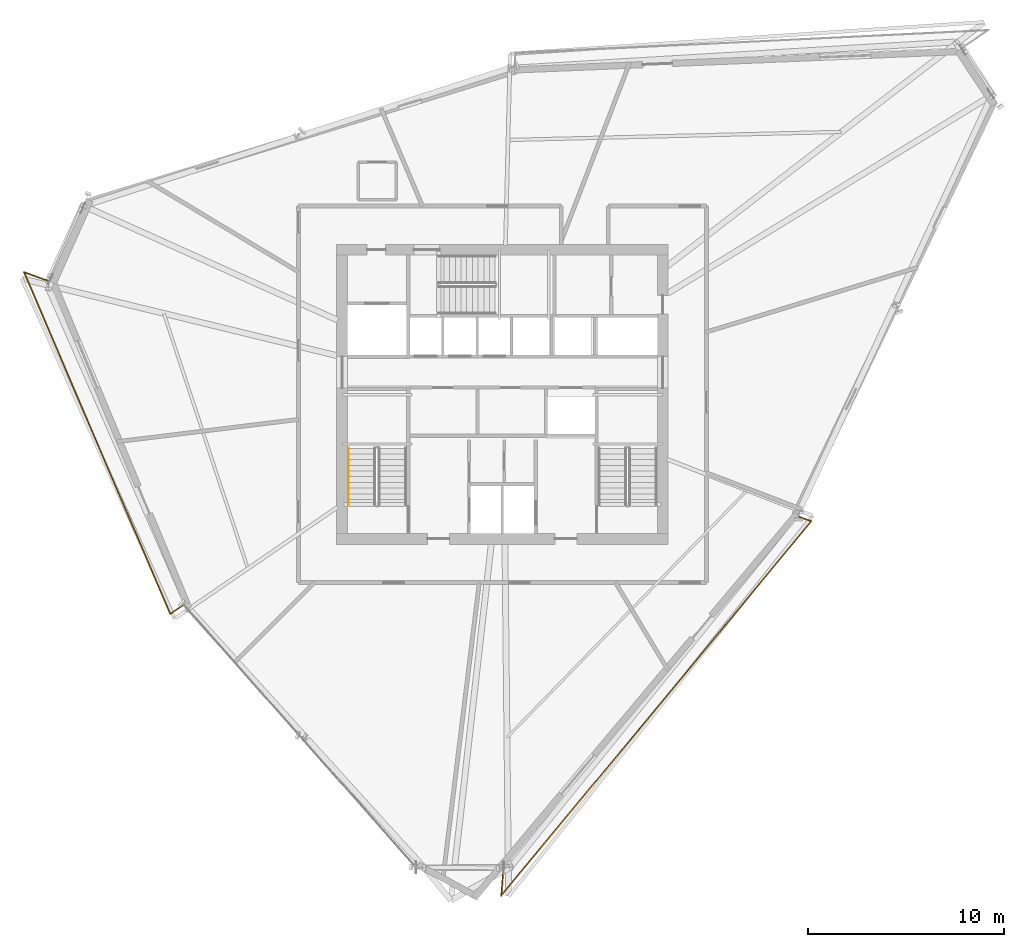
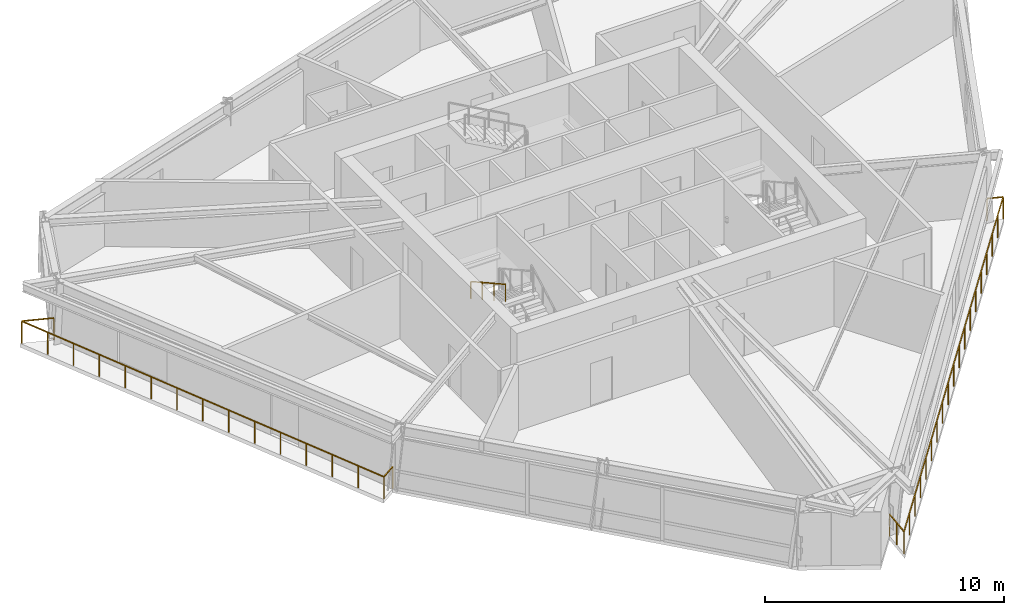
# One storey, part 11 of 13: 3 railings.
"""IFC4 building model written with IfcOpenShell, lengths in metres."""

import ifcopenshell
import ifcopenshell.guid

model = None  # the IFC model being written
_history = None  # IfcOwnerHistory: only IFC2X3 demands one
_inside = {}  # id of a spatial element -> (the spatial element, [elements in it])
_under = {}  # id of a project, library or spatial element -> (it, [spatial elements below it])
_declared = {}  # id of a project -> (the project, [libraries it declares])
_typed = {}  # id of a type object -> (the type object, [elements of that type])
_made_of = {}  # id of a material, layer set ... -> (it, [elements and type objects made of it])


def new_model(schema):
    """Start an empty IFC model of exactly this schema.

    Asked for "IFC4X3", IfcOpenShell would pick the latest addendum, in which some entities
    have other attributes; the version numbers below select the first issue.
    IFC2X3 requires an IfcOwnerHistory on every rooted entity: one is made here for all.
    """
    global model, _history
    if schema == "IFC4X3":
        model = ifcopenshell.file(schema_version=(4, 3, 0, 0))
    else:
        model = ifcopenshell.file(schema=schema)
    _inside.clear()
    _under.clear()
    _declared.clear()
    _typed.clear()
    _made_of.clear()
    _history = None
    if model.schema == "IFC2X3":
        org = make("IfcOrganization", Name="unknown")
        user = make(
            "IfcPersonAndOrganization",
            ThePerson=make("IfcPerson", FamilyName="unknown"),
            TheOrganization=org,
        )
        app = make(
            "IfcApplication",
            ApplicationDeveloper=org,
            Version="unknown",
            ApplicationFullName="unknown",
            ApplicationIdentifier="unknown",
        )
        _history = make(
            "IfcOwnerHistory",
            OwningUser=user,
            OwningApplication=app,
            ChangeAction="ADDED",
            CreationDate=0,
        )
    return model


def make(cls, **values):
    """One entity of the class cls with the attributes given. An attribute that is None is left unset."""
    return model.create_entity(
        cls, **{name: value for name, value in values.items() if value is not None}
    )


def rooted(cls, **values):
    """An entity with a GlobalId (a new one), such as an element, a storey or a relation."""
    return make(cls, GlobalId=ifcopenshell.guid.new(), OwnerHistory=_history, **values)


def si_unit(unit_type, name, prefix=None):
    """IfcSIUnit, for example si_unit("LENGTHUNIT", "METRE", prefix="MILLI")."""
    return make("IfcSIUnit", UnitType=unit_type, Prefix=prefix, Name=name)


def assignment(units):
    """IfcUnitAssignment: the units of a project."""
    return None if units is None else make("IfcUnitAssignment", Units=units)


def point(xyz):
    """IfcCartesianPoint."""
    return None if xyz is None else make("IfcCartesianPoint", Coordinates=xyz)


def direction(xyz):
    """IfcDirection."""
    return None if xyz is None else make("IfcDirection", DirectionRatios=xyz)


def frame(location, z_axis=None, x_axis=None):
    """IfcAxis2Placement3D, a coordinate frame: its origin and axes. An axis left out is left unset."""
    return make(
        "IfcAxis2Placement3D",
        Location=point(location),
        Axis=direction(z_axis),
        RefDirection=direction(x_axis),
    )


def frame_2d(location, x_axis=None):
    """IfcAxis2Placement2D, a coordinate frame in the plane: its origin and x axis."""
    return make(
        "IfcAxis2Placement2D", Location=point(location), RefDirection=direction(x_axis)
    )


def origin():
    """The frame at (0, 0, 0) with its axes left unset."""
    return frame((0.0, 0.0, 0.0))


def origin_2d():
    """The frame at (0, 0) in the plane with its x axis left unset."""
    return frame_2d((0.0, 0.0))


def place(relative_to, where):
    """IfcLocalPlacement: puts the frame where relative to a parent placement (None: the world)."""
    return make(
        "IfcLocalPlacement", PlacementRelTo=relative_to, RelativePlacement=where
    )


def context(
    kind, dimensions, precision=None, world=None, true_north=None, identifier=None
):
    """IfcGeometricRepresentationContext, for example the 3D "Model" context."""
    return make(
        "IfcGeometricRepresentationContext",
        ContextIdentifier=identifier,
        ContextType=kind,
        CoordinateSpaceDimension=dimensions,
        Precision=precision,
        WorldCoordinateSystem=world,
        TrueNorth=true_north,
    )


def subcontext(parent, identifier, kind, view, scale=None):
    """IfcGeometricRepresentationSubContext, for example "Body" below "Model"."""
    return make(
        "IfcGeometricRepresentationSubContext",
        ContextIdentifier=identifier,
        ContextType=kind,
        ParentContext=parent,
        TargetScale=scale,
        TargetView=view,
    )


def project(units=None, contexts=None):
    """IfcProject with its units and contexts."""
    return rooted(
        "IfcProject",
        Name="project",
        RepresentationContexts=contexts,
        UnitsInContext=assignment(units),
    )


def spatial(cls, under=None, at=None, **own):
    """A site, building, storey or space (cls), placed at a placement, below another one or the project."""
    s = rooted(cls, ObjectPlacement=at, **own)
    if under is not None:
        _under.setdefault(under.id(), (under, []))[1].append(s)
    return s


def profile(cls, at=None, kind="AREA", **sizes):
    """A parametric profile (cls). Its sizes go by their IFC names, for example OverallWidth=200.0."""
    return make(cls, ProfileType=kind, Position=at, **sizes)


def rectangle(**sizes):
    """IfcRectangleProfileDef."""
    return profile("IfcRectangleProfileDef", **sizes)


def extrude(swept, where, along, depth):
    """IfcExtrudedAreaSolid: the profile swept, set in the frame where, extruded along a direction by depth."""
    return make(
        "IfcExtrudedAreaSolid",
        SweptArea=swept,
        Position=where,
        ExtrudedDirection=direction(along),
        Depth=depth,
    )


def shape(context_of_items, identifier, shape_type, items):
    """IfcShapeRepresentation: the items that make up one representation, for example the "Body"."""
    return make(
        "IfcShapeRepresentation",
        ContextOfItems=context_of_items,
        RepresentationIdentifier=identifier,
        RepresentationType=shape_type,
        Items=items,
    )


def material(Name=None, Category=None):
    """IfcMaterial."""
    return make("IfcMaterial", Name=Name, Category=Category)


def made_of(thing, what):
    """Note that an element or type object is made of a material, layer set ...; save() writes the relation."""
    if what is not None:
        _made_of.setdefault(what.id(), (what, []))[1].append(thing)
    return thing


def type_object(cls, material=None, **own):
    """A type object (cls), such as IfcWallType, which elements share."""
    return made_of(rooted(cls, **own), material)


def element(
    cls,
    number,
    at=None,
    inside=None,
    cuts=None,
    type_object=None,
    material=None,
    context=None,
    identifier="Body",
    shape_type=None,
    held_by="IfcProductDefinitionShape",
    body=None,
    shapes=None,
    **own,
):
    """One element of the class cls, such as IfcWall. Its Tag is "e" and its number.

    at: its placement. inside: the storey or other place that contains it. cuts: it is an
    opening in that element (IfcRelVoidsElement). A single representation is given by context,
    identifier, shape_type and body (its items); several are given by shapes. held_by: the class
    of the entity that holds the representations. save() writes the other relations.
    """
    e = rooted(cls, Tag="e%d" % number, ObjectPlacement=at, **own)
    if body is not None:
        shapes = [shape(context, identifier, shape_type, body)]
    if shapes is not None:
        e.Representation = make(held_by, Representations=shapes)
    if inside is not None:
        _inside.setdefault(inside.id(), (inside, []))[1].append(e)
    if cuts is not None:
        rooted(
            "IfcRelVoidsElement", RelatingBuildingElement=cuts, RelatedOpeningElement=e
        )
    if type_object is not None:
        _typed.setdefault(type_object.id(), (type_object, []))[1].append(e)
    return made_of(e, material)


def aggregate(whole, parts):
    """IfcRelAggregates: a whole, such as a stair, and the parts it consists of."""
    return rooted("IfcRelAggregates", RelatingObject=whole, RelatedObjects=parts)


def save(model, path):
    """Write the relations noted so far, then the file.

    IfcRelAggregates (storeys below a building ...), IfcRelContainedInSpatialStructure (elements
    in a storey), IfcRelDefinesByType, IfcRelAssociatesMaterial and IfcRelDeclares: one each for
    every whole, place, type object, material and project.
    """
    for whole, parts in _under.values():
        aggregate(whole, parts)
    for where, things in _inside.values():
        rooted(
            "IfcRelContainedInSpatialStructure",
            RelatedElements=things,
            RelatingStructure=where,
        )
    for kind, things in _typed.values():
        rooted("IfcRelDefinesByType", RelatedObjects=things, RelatingType=kind)
    for what, things in _made_of.values():
        rooted("IfcRelAssociatesMaterial", RelatedObjects=things, RelatingMaterial=what)
    for by, libraries in _declared.values():
        rooted("IfcRelDeclares", RelatingContext=by, RelatedDefinitions=libraries)
    model.write(path)


model = new_model("IFC4")

# Units and contexts
model_context = context("Model", 3, precision=1e-05, world=origin(), true_north=direction((0.0, 1.0)))
body_context = subcontext(model_context, "Body", "Model", "MODEL_VIEW")
ifc_project = project(units=[si_unit("LENGTHUNIT", "METRE"), si_unit("AREAUNIT", "SQUARE_METRE"), si_unit("VOLUMEUNIT", "CUBIC_METRE"), si_unit("PLANEANGLEUNIT", "RADIAN"), si_unit("MASSUNIT", "GRAM", prefix="KILO")], contexts=[model_context])

# Site, building, storey
site_placement = place(None, origin())
site = spatial("IfcSite", under=ifc_project, at=site_placement, CompositionType="ELEMENT")
building_placement = place(site_placement, origin())
building = spatial("IfcBuilding", under=site, at=building_placement, Name="Olszyna Solenne Hotel", CompositionType="ELEMENT")
storey_placement = place(building_placement, frame((0.0, 0.0, 171.449951171875)))
storey = spatial("IfcBuildingStorey", under=building, at=storey_placement, Name="L45", CompositionType="ELEMENT", Elevation=171.449951171875)

# Railings
ifc_material_1 = material(Name="Anodised bronze aluminium", Category="aluminium")
railing_type_1 = type_object("IfcRailingType", Name="GR-110", PredefinedType="BALUSTRADE", material=ifc_material_1)
railing_1_placement = place(storey_placement, frame((14.896728515625, 32.3662109375, 0.0)))
element("IfcRailing", 1, at=railing_1_placement, inside=storey, type_object=railing_type_1, Name="Loggia balcony balustrade guard GR-L45-LG2", PredefinedType="BALUSTRADE", context=body_context, shape_type="SweptSolid", body=[
    extrude(rectangle(XDim=0.048095703125, YDim=0.048095703125, at=origin_2d()), frame((0.0, 0.0, 1.1259765625), z_axis=(-0.938864872951, 0.34428585556, 0.0), x_axis=(-0.34428585556, -0.938864872951, 0.0)), (0.0, 0.0, 1.0), 1.379150390625),
    extrude(rectangle(XDim=0.048095703125, YDim=0.048095703125, at=origin_2d()), frame((-1.294921875, 0.474853515625, 1.1259765625), z_axis=(0.393218745573, -0.919444951114, 0.0), x_axis=(0.919444951114, 0.393218745573, 0.0)), (0.0, 0.0, 1.0), 18.97216796875),
    extrude(rectangle(XDim=0.048095703125, YDim=0.048095703125, at=origin_2d()), frame((6.165283203125, -16.968994140625, 1.1259765625), z_axis=(0.831605947946, 0.555366138094, 0.0), x_axis=(-0.555366138094, 0.831605947946, 0.0)), (0.0, 0.0, 1.0), 0.845703125),
    extrude(rectangle(XDim=0.0419921875, YDim=0.0419921875, at=origin_2d()), origin(), (0.0, 0.0, 1.0), 1.101806640625),
    extrude(rectangle(XDim=0.0419921875, YDim=0.0419921875, at=origin_2d()), frame((-1.294921875, 0.474853515625, 0.0)), (0.0, 0.0, 1.0), 1.101806640625),
    extrude(rectangle(XDim=0.0419921875, YDim=0.0419921875, at=origin_2d()), frame((-0.761962890625, -0.771240234375, 0.0)), (0.0, 0.0, 1.0), 1.101806640625),
    extrude(rectangle(XDim=0.0419921875, YDim=0.0419921875, at=origin_2d()), frame((-0.229248046875, -2.01708984375, 0.0)), (0.0, 0.0, 1.0), 1.101806640625),
    extrude(rectangle(XDim=0.0419921875, YDim=0.0419921875, at=origin_2d()), frame((0.3037109375, -3.26318359375, 0.0)), (0.0, 0.0, 1.0), 1.101806640625),
    extrude(rectangle(XDim=0.0419921875, YDim=0.0419921875, at=origin_2d()), frame((0.836669921875, -4.509033203125, 0.0)), (0.0, 0.0, 1.0), 1.101806640625),
    extrude(rectangle(XDim=0.0419921875, YDim=0.0419921875, at=origin_2d()), frame((1.369384765625, -5.755126953125, 0.0)), (0.0, 0.0, 1.0), 1.101806640625),
    extrude(rectangle(XDim=0.0419921875, YDim=0.0419921875, at=origin_2d()), frame((1.90234375, -7.0009765625, 0.0)), (0.0, 0.0, 1.0), 1.101806640625),
    extrude(rectangle(XDim=0.0419921875, YDim=0.0419921875, at=origin_2d()), frame((2.43505859375, -8.2470703125, 0.0)), (0.0, 0.0, 1.0), 1.101806640625),
    extrude(rectangle(XDim=0.0419921875, YDim=0.0419921875, at=origin_2d()), frame((2.968017578125, -9.4931640625, 0.0)), (0.0, 0.0, 1.0), 1.101806640625),
    extrude(rectangle(XDim=0.0419921875, YDim=0.0419921875, at=origin_2d()), frame((3.5009765625, -10.739013671875, 0.0)), (0.0, 0.0, 1.0), 1.101806640625),
    extrude(rectangle(XDim=0.0419921875, YDim=0.0419921875, at=origin_2d()), frame((4.03369140625, -11.985107421875, 0.0)), (0.0, 0.0, 1.0), 1.101806640625),
    extrude(rectangle(XDim=0.0419921875, YDim=0.0419921875, at=origin_2d()), frame((4.566650390625, -13.23095703125, 0.0)), (0.0, 0.0, 1.0), 1.101806640625),
    extrude(rectangle(XDim=0.0419921875, YDim=0.0419921875, at=origin_2d()), frame((5.099609375, -14.47705078125, 0.0)), (0.0, 0.0, 1.0), 1.101806640625),
    extrude(rectangle(XDim=0.0419921875, YDim=0.0419921875, at=origin_2d()), frame((5.63232421875, -15.722900390625, 0.0)), (0.0, 0.0, 1.0), 1.101806640625),
    extrude(rectangle(XDim=0.0419921875, YDim=0.0419921875, at=origin_2d()), frame((6.165283203125, -16.968994140625, 0.0)), (0.0, 0.0, 1.0), 1.101806640625),
    extrude(rectangle(XDim=0.0419921875, YDim=0.0419921875, at=origin_2d()), frame((6.86865234375, -16.499267578125, 0.0)), (0.0, 0.0, 1.0), 1.101806640625),
])
railing_2_placement = place(storey_placement, frame((38.05224609375, 2.450927734375, 0.0)))
element("IfcRailing", 2, at=railing_2_placement, inside=storey, type_object=railing_type_1, Name="Loggia balcony balustrade guard GR-L45-LG3", PredefinedType="BALUSTRADE", context=body_context, shape_type="SweptSolid", body=[
    extrude(rectangle(XDim=0.048095703125, YDim=0.048095703125, at=origin_2d()), frame((0.0, 0.0, 1.1259765625), z_axis=(-0.079170596973, -0.996861081884, 0.0), x_axis=(0.996861081884, -0.079170596973, 0.0)), (0.0, 0.0, 1.0), 1.41845703125),
    extrude(rectangle(XDim=0.048095703125, YDim=0.048095703125, at=origin_2d()), frame((-0.1123046875, -1.4140625, 1.1259765625), z_axis=(0.638033207971, 0.770008847694, 0.0), x_axis=(-0.770008847694, 0.638033207971, 0.0)), (0.0, 0.0, 1.0), 24.799560546875),
    extrude(rectangle(XDim=0.048095703125, YDim=0.048095703125, at=origin_2d()), frame((15.710693359375, 17.681884765625, 1.1259765625), z_axis=(-0.938922080044, 0.344129812143, 0.0), x_axis=(-0.344129812143, -0.938922080044, 0.0)), (0.0, 0.0, 1.0), 0.689697265625),
    extrude(rectangle(XDim=0.0419921875, YDim=0.0419921875, at=origin_2d()), origin(), (0.0, 0.0, 1.0), 1.101806640625),
    extrude(rectangle(XDim=0.0419921875, YDim=0.0419921875, at=origin_2d()), frame((-0.05615234375, -0.70703125, 0.0)), (0.0, 0.0, 1.0), 1.101806640625),
    extrude(rectangle(XDim=0.0419921875, YDim=0.0419921875, at=origin_2d()), frame((-0.1123046875, -1.4140625, 0.0)), (0.0, 0.0, 1.0), 1.101806640625),
    extrude(rectangle(XDim=0.0419921875, YDim=0.0419921875, at=origin_2d()), frame((0.766845703125, -0.353271484375, 0.0)), (0.0, 0.0, 1.0), 1.101806640625),
    extrude(rectangle(XDim=0.0419921875, YDim=0.0419921875, at=origin_2d()), frame((1.645751953125, 0.707763671875, 0.0)), (0.0, 0.0, 1.0), 1.101806640625),
    extrude(rectangle(XDim=0.0419921875, YDim=0.0419921875, at=origin_2d()), frame((2.52490234375, 1.7685546875, 0.0)), (0.0, 0.0, 1.0), 1.101806640625),
    extrude(rectangle(XDim=0.0419921875, YDim=0.0419921875, at=origin_2d()), frame((3.40380859375, 2.82958984375, 0.0)), (0.0, 0.0, 1.0), 1.101806640625),
    extrude(rectangle(XDim=0.0419921875, YDim=0.0419921875, at=origin_2d()), frame((4.282958984375, 3.890380859375, 0.0)), (0.0, 0.0, 1.0), 1.101806640625),
    extrude(rectangle(XDim=0.0419921875, YDim=0.0419921875, at=origin_2d()), frame((5.162109375, 4.951171875, 0.0)), (0.0, 0.0, 1.0), 1.101806640625),
    extrude(rectangle(XDim=0.0419921875, YDim=0.0419921875, at=origin_2d()), frame((6.041015625, 6.01220703125, 0.0)), (0.0, 0.0, 1.0), 1.101806640625),
    extrude(rectangle(XDim=0.0419921875, YDim=0.0419921875, at=origin_2d()), frame((6.920166015625, 7.072998046875, 0.0)), (0.0, 0.0, 1.0), 1.101806640625),
    extrude(rectangle(XDim=0.0419921875, YDim=0.0419921875, at=origin_2d()), frame((7.79931640625, 8.1337890625, 0.0)), (0.0, 0.0, 1.0), 1.101806640625),
    extrude(rectangle(XDim=0.0419921875, YDim=0.0419921875, at=origin_2d()), frame((8.67822265625, 9.19482421875, 0.0)), (0.0, 0.0, 1.0), 1.101806640625),
    extrude(rectangle(XDim=0.0419921875, YDim=0.0419921875, at=origin_2d()), frame((9.557373046875, 10.255615234375, 0.0)), (0.0, 0.0, 1.0), 1.101806640625),
    extrude(rectangle(XDim=0.0419921875, YDim=0.0419921875, at=origin_2d()), frame((10.436279296875, 11.316650390625, 0.0)), (0.0, 0.0, 1.0), 1.101806640625),
    extrude(rectangle(XDim=0.0419921875, YDim=0.0419921875, at=origin_2d()), frame((11.3154296875, 12.37744140625, 0.0)), (0.0, 0.0, 1.0), 1.101806640625),
    extrude(rectangle(XDim=0.0419921875, YDim=0.0419921875, at=origin_2d()), frame((12.194580078125, 13.438232421875, 0.0)), (0.0, 0.0, 1.0), 1.101806640625),
    extrude(rectangle(XDim=0.0419921875, YDim=0.0419921875, at=origin_2d()), frame((13.073486328125, 14.499267578125, 0.0)), (0.0, 0.0, 1.0), 1.101806640625),
    extrude(rectangle(XDim=0.0419921875, YDim=0.0419921875, at=origin_2d()), frame((13.95263671875, 15.56005859375, 0.0)), (0.0, 0.0, 1.0), 1.101806640625),
    extrude(rectangle(XDim=0.0419921875, YDim=0.0419921875, at=origin_2d()), frame((14.83154296875, 16.62109375, 0.0)), (0.0, 0.0, 1.0), 1.101806640625),
    extrude(rectangle(XDim=0.0419921875, YDim=0.0419921875, at=origin_2d()), frame((15.710693359375, 17.681884765625, 0.0)), (0.0, 0.0, 1.0), 1.101806640625),
    extrude(rectangle(XDim=0.0419921875, YDim=0.0419921875, at=origin_2d()), frame((15.063232421875, 17.919189453125, 0.0)), (0.0, 0.0, 1.0), 1.101806640625),
])
ifc_material_2 = material(Name="Steel S355J2", Category="steel")
railing_type_2 = type_object("IfcRailingType", Name="HR-090", PredefinedType="HANDRAIL", material=ifc_material_2)
railing_3_placement = place(storey_placement, frame((30.14990234375, 23.85009765625, 1.9365234375)))
element("IfcRailing", 3, at=railing_3_placement, inside=storey, type_object=railing_type_2, Name="L45 ST1 stair handrail 2", PredefinedType="HANDRAIL", context=body_context, shape_type="SweptSolid", body=[
    extrude(rectangle(XDim=0.048095703125, YDim=0.048095703125, at=origin_2d()), frame((0.0, 0.0, 0.8759765625), z_axis=(0.0, -0.873858693841, 0.486179990537), x_axis=(1.0, 0.0, 0.0)), (0.0, 0.0, 1.0), 3.31884765625),
    extrude(rectangle(XDim=0.0419921875, YDim=0.0419921875, at=origin_2d()), origin(), (0.0, 0.0, 1.0), 0.851806640625),
    extrude(rectangle(XDim=0.0419921875, YDim=0.0419921875, at=origin_2d()), frame((0.0, -0.966796875, 0.537841796875)), (0.0, 0.0, 1.0), 0.851806640625),
    extrude(rectangle(XDim=0.0419921875, YDim=0.0419921875, at=origin_2d()), frame((0.0, -1.933349609375, 1.07568359375)), (0.0, 0.0, 1.0), 0.851806640625),
    extrude(rectangle(XDim=0.0419921875, YDim=0.0419921875, at=origin_2d()), frame((0.0, -2.900146484375, 1.613525390625)), (0.0, 0.0, 1.0), 0.851806640625),
])

save(model, "model.ifc")
